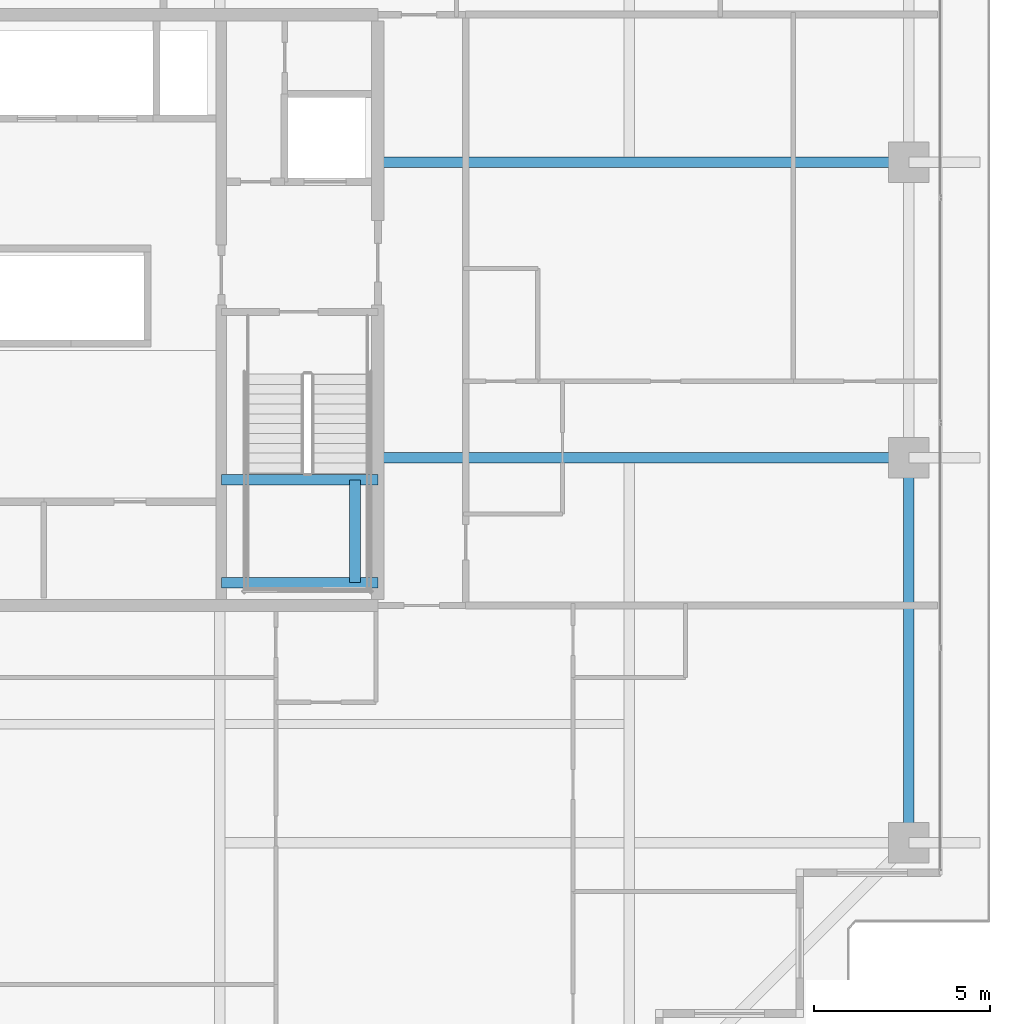
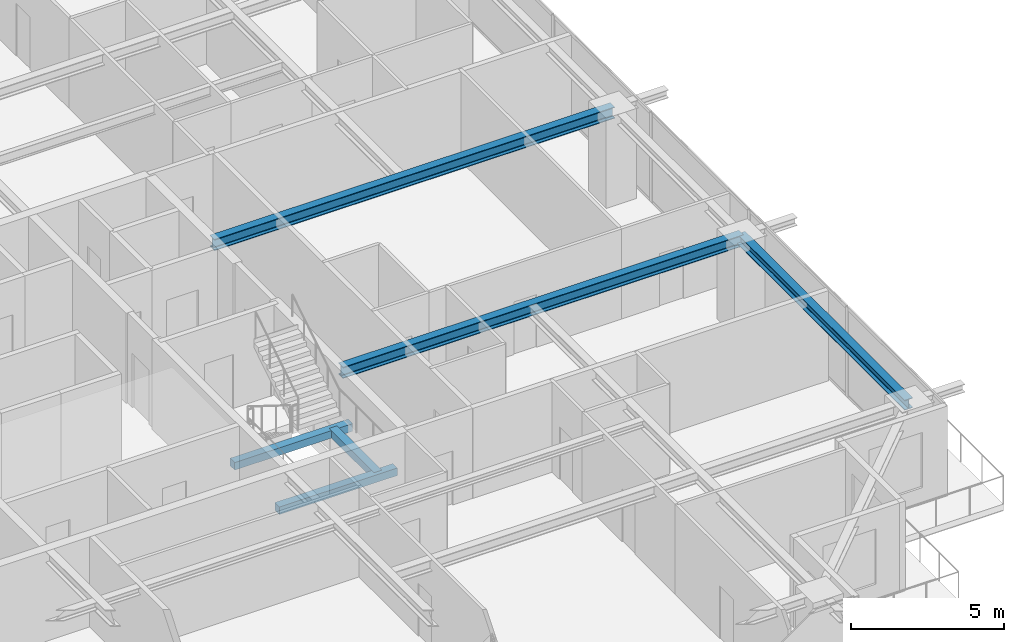
# One storey, part 14 of 35: 6 beams.
"""IFC4 building model written with IfcOpenShell, lengths in metres."""

from ifc_helpers import new_model, si_unit, direction, frame, origin, origin_2d, place, context, subcontext, project, spatial, rectangle, i_section, extrude, source, transform, mapped, material, material_profile, profile_set, type_object, element, save


model = new_model("IFC4")

# Units and contexts
model_context = context("Model", 3, precision=1e-05, world=origin(), true_north=direction((0.0, 1.0)))
body_context = subcontext(model_context, "Body", "Model", "MODEL_VIEW")
ifc_project = project(units=[si_unit("LENGTHUNIT", "METRE"), si_unit("AREAUNIT", "SQUARE_METRE"), si_unit("VOLUMEUNIT", "CUBIC_METRE"), si_unit("PLANEANGLEUNIT", "RADIAN"), si_unit("MASSUNIT", "GRAM", prefix="KILO")], contexts=[model_context])

# Site, building, storey
site_placement = place(None, origin())
site = spatial("IfcSite", under=ifc_project, at=site_placement, CompositionType="ELEMENT")
building_placement = place(site_placement, origin())
building = spatial("IfcBuilding", under=site, at=building_placement, Name="Serunith Strait Residences", CompositionType="ELEMENT")
storey_placement = place(building_placement, frame((0.0, 0.0, 210.449951171875)))
storey = spatial("IfcBuildingStorey", under=building, at=storey_placement, Name="L52", CompositionType="ELEMENT", Elevation=210.449951171875)

# Beams
ifc_material_1 = material(Name="Steel S355J2", Category="steel")
ifc_material_profile_1 = material_profile(ifc_material_1, i_section(OverallWidth=0.300048828125, OverallDepth=0.449951171875, WebThickness=0.013916015625, FlangeThickness=0.02587890625, FilletRadius=0.027099609375, at=origin_2d()), Name="HEB 450")
ifc_profile_set_1 = profile_set([ifc_material_profile_1], Name="Steel S355J2")
beam_type_1 = type_object("IfcBeamType", Name="BM-HEB450", PredefinedType="BEAM", material=ifc_profile_set_1)
shared_shape_1 = source(origin(), body_context, "Body", "SweptSolid", [
    extrude(i_section(OverallWidth=0.300048828125, OverallDepth=0.449951171875, WebThickness=0.013916015625, FlangeThickness=0.02587890625, FilletRadius=0.027099609375, at=origin_2d()), origin(), (0.0, 0.0, 1.0), 15.10009765625),
])
for number, where, z_axis, x_axis, name in (
    (1, (41.39990234375, 21.0, 3.362060546875), (1.0, 0.0, 0.0), (0.0, 1.0, 0.0), "L52 Primary Floor Girder TC-E2"),
    (2, (41.39990234375, 29.39990234375, 3.362060546875), (1.0, 0.0, 0.0), (0.0, 1.0, 0.0), "L52 Primary Floor Girder TC-E3"),
):
    element("IfcBeam", number, at=place(storey_placement, frame(where, z_axis=z_axis, x_axis=x_axis)), inside=storey, type_object=beam_type_1, Name=name, PredefinedType="BEAM", context=body_context, shape_type="MappedRepresentation", body=[
        mapped(shared_shape_1, transform((0.0, 0.0, 0.0), scale=1.0)),
    ])
ifc_material_profile_2 = material_profile(ifc_material_1, i_section(OverallWidth=0.300048828125, OverallDepth=0.39990234375, WebThickness=0.013427734375, FlangeThickness=0.02392578125, FilletRadius=0.027099609375, at=origin_2d()), Name="HEB 400")
ifc_profile_set_2 = profile_set([ifc_material_profile_2], Name="Steel S355J2")
beam_type_2 = type_object("IfcBeamType", Name="BM-HEB400", PredefinedType="BEAM", material=ifc_profile_set_2)
shared_shape_2 = source(origin(), body_context, "Body", "SweptSolid", [
    extrude(i_section(OverallWidth=0.300048828125, OverallDepth=0.39990234375, WebThickness=0.013427734375, FlangeThickness=0.02392578125, FilletRadius=0.027099609375, at=origin_2d()), origin(), (0.0, 0.0, 1.0), 10.949951171875),
])
beam_1_placement = place(storey_placement, frame((56.5, 10.050048828125, 3.386962890625), z_axis=(0.0, 1.0, 0.0), x_axis=(-1.0, 0.0, 0.0)))
element("IfcBeam", 3, at=beam_1_placement, inside=storey, type_object=beam_type_2, Name="L52 Perimeter Ring Beam 05", PredefinedType="BEAM", context=body_context, shape_type="MappedRepresentation", body=[
    mapped(shared_shape_2, transform((0.0, 0.0, 0.0), scale=1.0)),
])
ifc_material_2 = material(Name="Concrete C60/75", Category="concrete")
ifc_material_profile_3 = material_profile(ifc_material_2, rectangle(XDim=0.300048828125, YDim=0.300048828125, at=origin_2d()), Name="RC 300x300")
ifc_profile_set_3 = profile_set([ifc_material_profile_3], Name="Concrete C60/75")
beam_type_3 = type_object("IfcBeamType", Name="BM-LAND-300x300", PredefinedType="BEAM", material=ifc_profile_set_3)
shared_shape_3 = source(origin(), body_context, "Body", "SweptSolid", [
    extrude(rectangle(XDim=0.300048828125, YDim=0.300048828125, at=origin_2d()), origin(), (0.0, 0.0, 1.0), 4.449951171875),
])
for number, where, z_axis, x_axis, name in (
    (4, (36.949951171875, 17.449951171875, 1.574951171875), (1.0, 0.0, 0.0), (0.0, 1.0, 0.0), "L52 ST-2 Landing Support Beam 1"),
    (5, (36.949951171875, 20.3701171875, 1.574951171875), (1.0, 0.0, 0.0), (0.0, 1.0, 0.0), "L52 ST-2 Landing Support Beam 2"),
):
    element("IfcBeam", number, at=place(storey_placement, frame(where, z_axis=z_axis, x_axis=x_axis)), inside=storey, type_object=beam_type_3, Name=name, PredefinedType="BEAM", context=body_context, shape_type="MappedRepresentation", body=[
        mapped(shared_shape_3, transform((0.0, 0.0, 0.0), scale=1.0)),
    ])
shared_shape_4 = source(origin(), body_context, "Body", "SweptSolid", [
    extrude(rectangle(XDim=0.300048828125, YDim=0.300048828125, at=origin_2d()), origin(), (0.0, 0.0, 1.0), 2.920166015625),
])
beam_2_placement = place(storey_placement, frame((40.75, 17.449951171875, 1.574951171875), z_axis=(0.0, 1.0, 0.0), x_axis=(-1.0, 0.0, 0.0)))
element("IfcBeam", 6, at=beam_2_placement, inside=storey, type_object=beam_type_3, Name="L52 ST-2 Landing Transverse Tie Beam", PredefinedType="BEAM", context=body_context, shape_type="MappedRepresentation", body=[
    mapped(shared_shape_4, transform((0.0, 0.0, 0.0), scale=1.0)),
])

save(model, "model.ifc")
